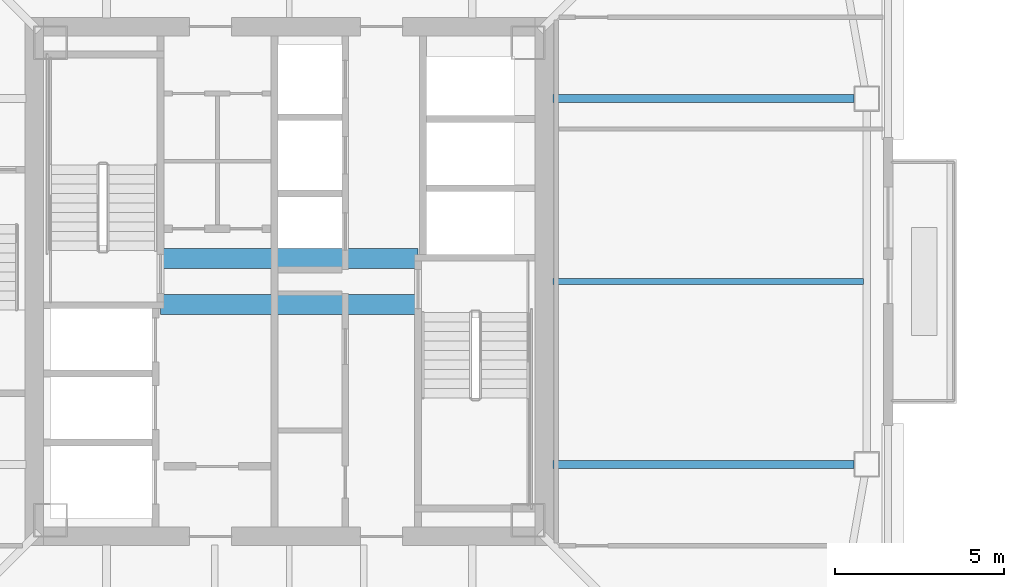
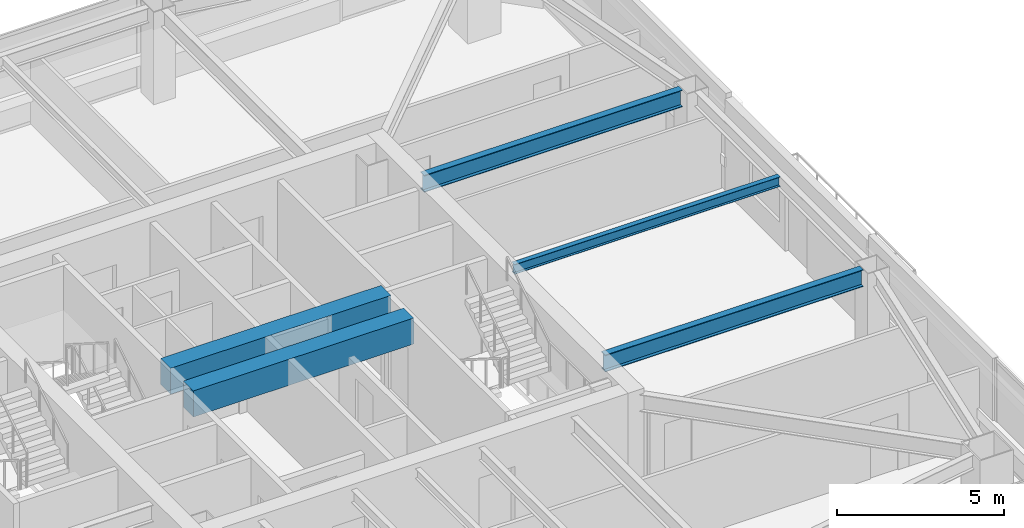
# One storey, part 8 of 41: 5 beams.
"""IFC4 building model written with IfcOpenShell, lengths in metres."""

import ifcopenshell
import ifcopenshell.guid

model = None  # the IFC model being written
_history = None  # IfcOwnerHistory: only IFC2X3 demands one
_inside = {}  # id of a spatial element -> (the spatial element, [elements in it])
_under = {}  # id of a project, library or spatial element -> (it, [spatial elements below it])
_declared = {}  # id of a project -> (the project, [libraries it declares])
_typed = {}  # id of a type object -> (the type object, [elements of that type])
_made_of = {}  # id of a material, layer set ... -> (it, [elements and type objects made of it])


def new_model(schema):
    """Start an empty IFC model of exactly this schema.

    Asked for "IFC4X3", IfcOpenShell would pick the latest addendum, in which some entities
    have other attributes; the version numbers below select the first issue.
    IFC2X3 requires an IfcOwnerHistory on every rooted entity: one is made here for all.
    """
    global model, _history
    if schema == "IFC4X3":
        model = ifcopenshell.file(schema_version=(4, 3, 0, 0))
    else:
        model = ifcopenshell.file(schema=schema)
    _inside.clear()
    _under.clear()
    _declared.clear()
    _typed.clear()
    _made_of.clear()
    _history = None
    if model.schema == "IFC2X3":
        org = make("IfcOrganization", Name="unknown")
        user = make(
            "IfcPersonAndOrganization",
            ThePerson=make("IfcPerson", FamilyName="unknown"),
            TheOrganization=org,
        )
        app = make(
            "IfcApplication",
            ApplicationDeveloper=org,
            Version="unknown",
            ApplicationFullName="unknown",
            ApplicationIdentifier="unknown",
        )
        _history = make(
            "IfcOwnerHistory",
            OwningUser=user,
            OwningApplication=app,
            ChangeAction="ADDED",
            CreationDate=0,
        )
    return model


def make(cls, **values):
    """One entity of the class cls with the attributes given. An attribute that is None is left unset."""
    return model.create_entity(
        cls, **{name: value for name, value in values.items() if value is not None}
    )


def rooted(cls, **values):
    """An entity with a GlobalId (a new one), such as an element, a storey or a relation."""
    return make(cls, GlobalId=ifcopenshell.guid.new(), OwnerHistory=_history, **values)


def si_unit(unit_type, name, prefix=None):
    """IfcSIUnit, for example si_unit("LENGTHUNIT", "METRE", prefix="MILLI")."""
    return make("IfcSIUnit", UnitType=unit_type, Prefix=prefix, Name=name)


def assignment(units):
    """IfcUnitAssignment: the units of a project."""
    return None if units is None else make("IfcUnitAssignment", Units=units)


def point(xyz):
    """IfcCartesianPoint."""
    return None if xyz is None else make("IfcCartesianPoint", Coordinates=xyz)


def direction(xyz):
    """IfcDirection."""
    return None if xyz is None else make("IfcDirection", DirectionRatios=xyz)


def frame(location, z_axis=None, x_axis=None):
    """IfcAxis2Placement3D, a coordinate frame: its origin and axes. An axis left out is left unset."""
    return make(
        "IfcAxis2Placement3D",
        Location=point(location),
        Axis=direction(z_axis),
        RefDirection=direction(x_axis),
    )


def frame_2d(location, x_axis=None):
    """IfcAxis2Placement2D, a coordinate frame in the plane: its origin and x axis."""
    return make(
        "IfcAxis2Placement2D", Location=point(location), RefDirection=direction(x_axis)
    )


def origin():
    """The frame at (0, 0, 0) with its axes left unset."""
    return frame((0.0, 0.0, 0.0))


def origin_2d():
    """The frame at (0, 0) in the plane with its x axis left unset."""
    return frame_2d((0.0, 0.0))


def place(relative_to, where):
    """IfcLocalPlacement: puts the frame where relative to a parent placement (None: the world)."""
    return make(
        "IfcLocalPlacement", PlacementRelTo=relative_to, RelativePlacement=where
    )


def context(
    kind, dimensions, precision=None, world=None, true_north=None, identifier=None
):
    """IfcGeometricRepresentationContext, for example the 3D "Model" context."""
    return make(
        "IfcGeometricRepresentationContext",
        ContextIdentifier=identifier,
        ContextType=kind,
        CoordinateSpaceDimension=dimensions,
        Precision=precision,
        WorldCoordinateSystem=world,
        TrueNorth=true_north,
    )


def subcontext(parent, identifier, kind, view, scale=None):
    """IfcGeometricRepresentationSubContext, for example "Body" below "Model"."""
    return make(
        "IfcGeometricRepresentationSubContext",
        ContextIdentifier=identifier,
        ContextType=kind,
        ParentContext=parent,
        TargetScale=scale,
        TargetView=view,
    )


def project(units=None, contexts=None):
    """IfcProject with its units and contexts."""
    return rooted(
        "IfcProject",
        Name="project",
        RepresentationContexts=contexts,
        UnitsInContext=assignment(units),
    )


def spatial(cls, under=None, at=None, **own):
    """A site, building, storey or space (cls), placed at a placement, below another one or the project."""
    s = rooted(cls, ObjectPlacement=at, **own)
    if under is not None:
        _under.setdefault(under.id(), (under, []))[1].append(s)
    return s


def profile(cls, at=None, kind="AREA", **sizes):
    """A parametric profile (cls). Its sizes go by their IFC names, for example OverallWidth=200.0."""
    return make(cls, ProfileType=kind, Position=at, **sizes)


def rectangle(**sizes):
    """IfcRectangleProfileDef."""
    return profile("IfcRectangleProfileDef", **sizes)


def i_section(**sizes):
    """IfcIShapeProfileDef."""
    return profile("IfcIShapeProfileDef", **sizes)


def extrude(swept, where, along, depth):
    """IfcExtrudedAreaSolid: the profile swept, set in the frame where, extruded along a direction by depth."""
    return make(
        "IfcExtrudedAreaSolid",
        SweptArea=swept,
        Position=where,
        ExtrudedDirection=direction(along),
        Depth=depth,
    )


def shape(context_of_items, identifier, shape_type, items):
    """IfcShapeRepresentation: the items that make up one representation, for example the "Body"."""
    return make(
        "IfcShapeRepresentation",
        ContextOfItems=context_of_items,
        RepresentationIdentifier=identifier,
        RepresentationType=shape_type,
        Items=items,
    )


def material(Name=None, Category=None):
    """IfcMaterial."""
    return make("IfcMaterial", Name=Name, Category=Category)


def material_profile(
    of_material, cross_section, Name=None, Category=None, Priority=None
):
    """IfcMaterialProfile: a cross section and its material."""
    return make(
        "IfcMaterialProfile",
        Name=Name,
        Material=of_material,
        Profile=cross_section,
        Priority=Priority,
        Category=Category,
    )


def profile_set(profiles, Name=None, composite=None):
    """IfcMaterialProfileSet."""
    return make(
        "IfcMaterialProfileSet",
        Name=Name,
        MaterialProfiles=profiles,
        CompositeProfile=composite,
    )


def made_of(thing, what):
    """Note that an element or type object is made of a material, layer set ...; save() writes the relation."""
    if what is not None:
        _made_of.setdefault(what.id(), (what, []))[1].append(thing)
    return thing


def type_object(cls, material=None, **own):
    """A type object (cls), such as IfcWallType, which elements share."""
    return made_of(rooted(cls, **own), material)


def element(
    cls,
    number,
    at=None,
    inside=None,
    cuts=None,
    type_object=None,
    material=None,
    context=None,
    identifier="Body",
    shape_type=None,
    held_by="IfcProductDefinitionShape",
    body=None,
    shapes=None,
    **own,
):
    """One element of the class cls, such as IfcWall. Its Tag is "e" and its number.

    at: its placement. inside: the storey or other place that contains it. cuts: it is an
    opening in that element (IfcRelVoidsElement). A single representation is given by context,
    identifier, shape_type and body (its items); several are given by shapes. held_by: the class
    of the entity that holds the representations. save() writes the other relations.
    """
    e = rooted(cls, Tag="e%d" % number, ObjectPlacement=at, **own)
    if body is not None:
        shapes = [shape(context, identifier, shape_type, body)]
    if shapes is not None:
        e.Representation = make(held_by, Representations=shapes)
    if inside is not None:
        _inside.setdefault(inside.id(), (inside, []))[1].append(e)
    if cuts is not None:
        rooted(
            "IfcRelVoidsElement", RelatingBuildingElement=cuts, RelatedOpeningElement=e
        )
    if type_object is not None:
        _typed.setdefault(type_object.id(), (type_object, []))[1].append(e)
    return made_of(e, material)


def aggregate(whole, parts):
    """IfcRelAggregates: a whole, such as a stair, and the parts it consists of."""
    return rooted("IfcRelAggregates", RelatingObject=whole, RelatedObjects=parts)


def save(model, path):
    """Write the relations noted so far, then the file.

    IfcRelAggregates (storeys below a building ...), IfcRelContainedInSpatialStructure (elements
    in a storey), IfcRelDefinesByType, IfcRelAssociatesMaterial and IfcRelDeclares: one each for
    every whole, place, type object, material and project.
    """
    for whole, parts in _under.values():
        aggregate(whole, parts)
    for where, things in _inside.values():
        rooted(
            "IfcRelContainedInSpatialStructure",
            RelatedElements=things,
            RelatingStructure=where,
        )
    for kind, things in _typed.values():
        rooted("IfcRelDefinesByType", RelatedObjects=things, RelatingType=kind)
    for what, things in _made_of.values():
        rooted("IfcRelAssociatesMaterial", RelatedObjects=things, RelatingMaterial=what)
    for by, libraries in _declared.values():
        rooted("IfcRelDeclares", RelatingContext=by, RelatedDefinitions=libraries)
    model.write(path)


model = new_model("IFC4")

# Units and contexts
model_context = context("Model", 3, precision=1e-05, world=origin(), true_north=direction((0.0, 1.0)))
body_context = subcontext(model_context, "Body", "Model", "MODEL_VIEW")
ifc_project = project(units=[si_unit("LENGTHUNIT", "METRE"), si_unit("AREAUNIT", "SQUARE_METRE"), si_unit("VOLUMEUNIT", "CUBIC_METRE"), si_unit("PLANEANGLEUNIT", "RADIAN"), si_unit("MASSUNIT", "GRAM", prefix="KILO")], contexts=[model_context])

# Site, building, storey
site_placement = place(None, origin())
site = spatial("IfcSite", under=ifc_project, at=site_placement, CompositionType="ELEMENT")
building_placement = place(site_placement, origin())
building = spatial("IfcBuilding", under=site, at=building_placement, Name="Tashvorn Skyway Center", CompositionType="ELEMENT")
storey_placement = place(building_placement, frame((0.0, 0.0, 174.75)))
storey = spatial("IfcBuildingStorey", under=building, at=storey_placement, Name="L47", CompositionType="ELEMENT", Elevation=174.75)

# Beams
ifc_material_1 = material(Name="Steel ASTM A992 Grade 50", Category="steel")
ifc_material_profile_1 = material_profile(ifc_material_1, i_section(OverallWidth=0.22998046875, OverallDepth=0.616943359375, WebThickness=0.01318359375, FlangeThickness=0.022216796875, at=origin_2d()), Name="W24X94")
ifc_profile_set_1 = profile_set([ifc_material_profile_1], Name="Steel ASTM A992 Grade 50")
beam_type_1 = type_object("IfcBeamType", Name="BM-BEAM-W24X94", PredefinedType="BEAM", material=ifc_profile_set_1)
for number, where, z_axis, x_axis, name in (
    (1, (58.679931640625, 26.60009765625, 3.0615234375), (-1.0, 0.0, 0.0), (0.0, -1.0, 0.0), "Tower 1 L47 Primary Floor Girder FC-E1"),
    (2, (58.679931640625, 37.39990234375, 3.0615234375), (-1.0, 0.0, 0.0), (0.0, -1.0, 0.0), "Tower 1 L47 Primary Floor Girder FC-E2"),
):
    element("IfcBeam", number, at=place(storey_placement, frame(where, z_axis=z_axis, x_axis=x_axis)), inside=storey, type_object=beam_type_1, Name=name, PredefinedType="BEAM", context=body_context, shape_type="SweptSolid", body=[
        extrude(i_section(OverallWidth=0.22998046875, OverallDepth=0.616943359375, WebThickness=0.01318359375, FlangeThickness=0.022216796875, at=origin_2d()), origin(), (0.0, 0.0, 1.0), 8.89990234375),
    ])
ifc_material_profile_2 = material_profile(ifc_material_1, i_section(OverallWidth=0.1708984375, OverallDepth=0.35498046875, WebThickness=0.007080078125, FlangeThickness=0.01171875, at=origin_2d()), Name="W14X34")
ifc_profile_set_2 = profile_set([ifc_material_profile_2], Name="Steel ASTM A992 Grade 50")
beam_type_2 = type_object("IfcBeamType", Name="BM-JOIST-W14X34", PredefinedType="JOIST", material=ifc_profile_set_2)
beam_placement = place(storey_placement, frame((49.7900390625, 32.0, 3.1923828125), z_axis=(1.0, 0.0, 0.0), x_axis=(0.0, 1.0, 0.0)))
element("IfcBeam", 3, at=beam_placement, inside=storey, type_object=beam_type_2, Name="Tower 1 L47 Secondary Composite Joist JE", PredefinedType="JOIST", context=body_context, shape_type="SweptSolid", body=[
    extrude(i_section(OverallWidth=0.1708984375, OverallDepth=0.35498046875, WebThickness=0.007080078125, FlangeThickness=0.01171875, at=origin_2d()), origin(), (0.0, 0.0, 1.0), 9.162353515625),
])
ifc_material_2 = material(Name="Concrete C60/75", Category="concrete")
ifc_material_profile_3 = material_profile(ifc_material_2, rectangle(XDim=0.60009765625, YDim=0.949951171875, at=origin_2d()), Name="RCB600x950")
ifc_profile_set_3 = profile_set([ifc_material_profile_3], Name="Concrete C60/75")
beam_type_3 = type_object("IfcBeamType", Name="BM-LINTEL-RCB600x950", PredefinedType="LINTEL", material=ifc_profile_set_3)
for number, where, z_axis, x_axis, name in (
    (4, (38.199951171875, 32.679931640625, 2.89501953125), (1.0, 0.0, 0.0), (0.0, 1.0, 0.0), "Tower 1 L47 Core Coupling Beam CN"),
    (5, (38.199951171875, 31.320068359375, 2.89501953125), (1.0, 0.0, 0.0), (0.0, 1.0, 0.0), "Tower 1 L47 Core Coupling Beam CS"),
):
    element("IfcBeam", number, at=place(storey_placement, frame(where, z_axis=z_axis, x_axis=x_axis)), inside=storey, type_object=beam_type_3, Name=name, PredefinedType="LINTEL", context=body_context, shape_type="SweptSolid", body=[
        extrude(rectangle(XDim=0.60009765625, YDim=0.949951171875, at=origin_2d()), origin(), (0.0, 0.0, 1.0), 7.60009765625),
    ])

save(model, "model.ifc")
